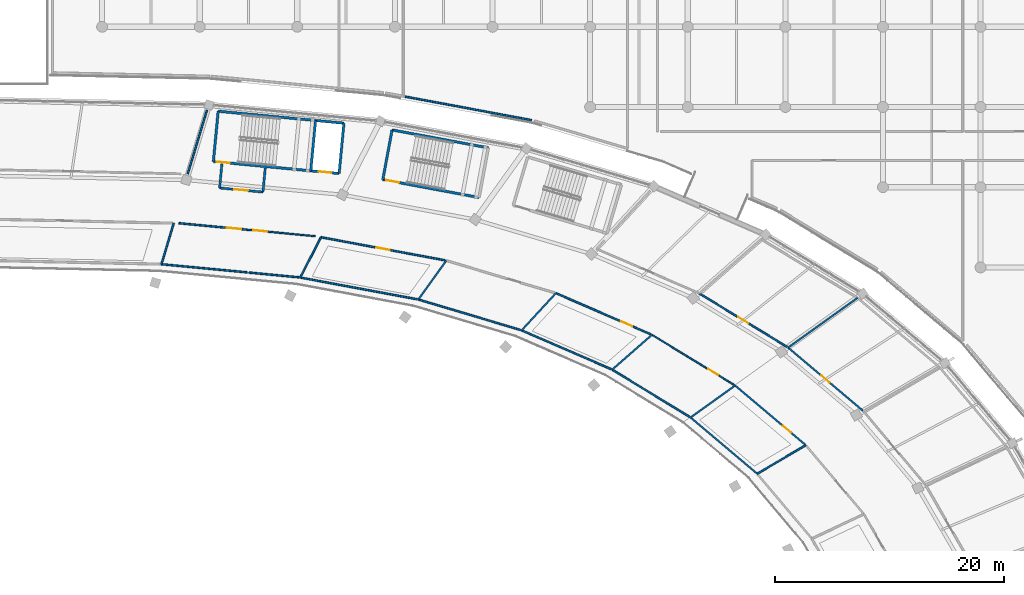
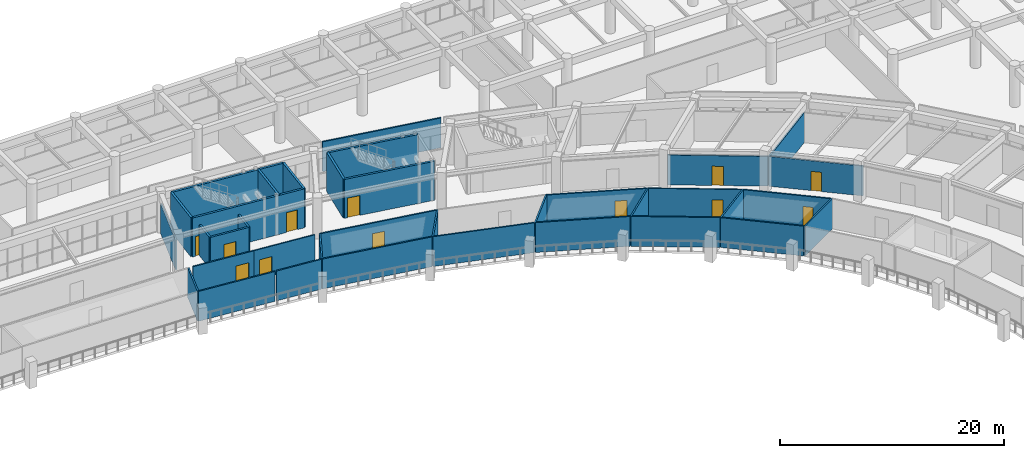
# One storey, part 107 of 141: 36 walls, 12 doors, 12 openings.
"""IFC4 building model written with IfcOpenShell, lengths in metres."""

from ifc_helpers import new_model, si_unit, direction, frame, frame_2d, origin, place, context, subcontext, project, spatial, rectangle, extrude, material, layer, layer_set, type_object, element, fill, save


model = new_model("IFC4")

# Units and contexts
model_context = context("Model", 3, precision=1e-05, world=origin(), true_north=direction((0.0, 1.0)))
body_context = subcontext(model_context, "Body", "Model", "MODEL_VIEW")
ifc_project = project(units=[si_unit("LENGTHUNIT", "METRE"), si_unit("AREAUNIT", "SQUARE_METRE"), si_unit("VOLUMEUNIT", "CUBIC_METRE"), si_unit("PLANEANGLEUNIT", "RADIAN"), si_unit("MASSUNIT", "GRAM", prefix="KILO")], contexts=[model_context])

# Site, building, storey
site_placement = place(None, origin())
site = spatial("IfcSite", under=ifc_project, at=site_placement, CompositionType="ELEMENT")
building_placement = place(site_placement, origin())
building = spatial("IfcBuilding", under=site, at=building_placement, Name="Mphavela Belvedere Stadium", CompositionType="ELEMENT")
storey_placement = place(building_placement, frame((0.0, 0.0, 14.699951171875)))
storey = spatial("IfcBuildingStorey", under=building, at=storey_placement, Name="L03", CompositionType="ELEMENT", Elevation=14.699951171875)

# Walls
ifc_material_1 = material(Name="Concrete C40/50", Category="concrete")
ifc_layer_1 = layer(ifc_material_1, 0.219970703125)
ifc_layer_set_1 = layer_set([ifc_layer_1], Name="Concrete C40/50")
wall_type_1 = type_object("IfcWallType", Name="WAL-CORE-SHEAR-220", PredefinedType="SHEAR", material=ifc_layer_set_1)
wall_1_placement = place(storey_placement, frame((137.908935546875, 159.633544921875, 0.0), z_axis=(0.0, 0.0, 1.0), x_axis=(0.99547962713, -0.094975322952, 0.0)))
element("IfcWall", 1, at=wall_1_placement, inside=storey, type_object=wall_type_1, Name="Core C03 shear wall L03 rear", PredefinedType="SHEAR", context=body_context, shape_type="SweptSolid", body=[
    extrude(rectangle(XDim=11.02001953125, YDim=0.219970703125, at=frame_2d((5.510009765625, 0.0))), origin(), (0.0, 0.0, 1.0), 4.25),
])
wall_2_placement = place(storey_placement, frame((137.489990234375, 155.243408203125, 0.0), z_axis=(0.0, 0.0, 1.0), x_axis=(0.094997189401, 0.995477540684, 0.0)))
element("IfcWall", 2, at=wall_2_placement, inside=storey, type_object=wall_type_1, Name="Core C03 shear wall L03 left", PredefinedType="SHEAR", context=body_context, shape_type="SweptSolid", body=[
    extrude(rectangle(XDim=4.41015625, YDim=0.219970703125, at=frame_2d((2.205078125, 0.0))), origin(), (0.0, 0.0, 1.0), 4.25),
])
wall_3_placement = place(storey_placement, frame((148.460205078125, 154.197021484375, 0.0), z_axis=(0.0, 0.0, 1.0), x_axis=(0.095002424918, 0.995477041051, 0.0)))
element("IfcWall", 3, at=wall_3_placement, inside=storey, type_object=wall_type_1, Name="Core C03 shear wall L03 right", PredefinedType="SHEAR", context=body_context, shape_type="SweptSolid", body=[
    extrude(rectangle(XDim=4.409912109375, YDim=0.219970703125, at=frame_2d((2.205078125, 0.0))), origin(), (0.0, 0.0, 1.0), 4.25),
])

# Wall, openings, doors
wall_4_placement = place(storey_placement, frame((137.489990234375, 155.243408203125, 0.0), z_axis=(0.0, 0.0, 1.0), x_axis=(0.995481721489, -0.094953368458, 0.0)))
wall_4 = element("IfcWall", 4, at=wall_4_placement, inside=storey, type_object=wall_type_1, Name="Core C03 shear wall L03 front", PredefinedType="SHEAR", context=body_context, shape_type="SweptSolid", body=[
    extrude(rectangle(XDim=11.02001953125, YDim=0.219970703125, at=frame_2d((5.510009765625, 0.0))), origin(), (0.0, 0.0, 1.0), 4.25),
])
opening_1_placement = place(wall_4_placement, frame((0.300048828125, 0.0, 0.0)))
opening_1 = element("IfcOpeningElement", 5, at=opening_1_placement, cuts=wall_4, Name="Opening SD-014", PredefinedType="OPENING", context=body_context, shape_type="SweptSolid", body=[
    extrude(rectangle(XDim=1.14990234375, YDim=2.14990234375, at=frame_2d((0.574951171875, 1.074951171875))), frame((0.0, 0.1201171875, 0.0), z_axis=(0.0, -1.0, 0.0), x_axis=(1.0, 0.0, 0.0)), (0.0, 0.0, 1.0), 0.239990234375),
])
opening_2_placement = place(wall_4_placement, frame((9.22998046875, 0.0, 0.0)))
opening_2 = element("IfcOpeningElement", 6, at=opening_2_placement, cuts=wall_4, Name="Opening LD-014", PredefinedType="OPENING", context=body_context, shape_type="SweptSolid", body=[
    extrude(rectangle(XDim=1.10009765625, YDim=2.14990234375, at=frame_2d((0.550048828125, 1.074951171875))), frame((0.0, 0.1201171875, 0.0), z_axis=(0.0, -1.0, 0.0), x_axis=(1.0, 0.0, 0.0)), (0.0, 0.0, 1.0), 0.239990234375),
])
ifc_material_2 = material(Name="Stainless steel center-parting lift landing door", Category="steel")
door_type_1 = type_object("IfcDoorType", Name="DR-LIFT-SLIDE-1100", OperationType="NOTDEFINED", PredefinedType="DOOR", material=ifc_material_2)
door_1_placement = place(opening_2_placement, origin())
door_1 = element("IfcDoor", 7, at=door_1_placement, inside=storey, type_object=door_type_1, Name="Lift landing sliding door FL02 L03", OperationType="DOUBLE_DOOR_SLIDING", OverallHeight=2.14990234375, OverallWidth=1.10009765625, PredefinedType="DOOR", context=body_context, shape_type="SweptSolid", body=[
    extrude(rectangle(XDim=1.10009765625, YDim=2.14990234375, at=frame_2d((0.550048828125, 1.074951171875))), frame((0.0, 0.02490234375, 0.0), z_axis=(0.0, -1.0, 0.0), x_axis=(1.0, 0.0, 0.0)), (0.0, 0.0, 1.0), 0.050048828125),
])
fill(opening_2, door_1)
ifc_material_3 = material(Name="Steel acoustic fire-resisting stair doorset", Category="steel")
door_type_2 = type_object("IfcDoorType", Name="DR-STAIR-FIRE-1150", OperationType="NOTDEFINED", PredefinedType="DOOR", material=ifc_material_3)
door_2_placement = place(opening_1_placement, origin())
door_2 = element("IfcDoor", 8, at=door_2_placement, inside=storey, type_object=door_type_2, Name="Escape stair fire door C03 L03", OperationType="SINGLE_SWING_RIGHT", OverallHeight=2.14990234375, OverallWidth=1.14990234375, PredefinedType="DOOR", context=body_context, shape_type="SweptSolid", body=[
    extrude(rectangle(XDim=1.14990234375, YDim=2.14990234375, at=frame_2d((0.574951171875, 1.074951171875))), frame((0.0, 0.02490234375, 0.0), z_axis=(0.0, -1.0, 0.0), x_axis=(1.0, 0.0, 0.0)), (0.0, 0.0, 1.0), 0.050048828125),
])
fill(opening_1, door_2)

# Walls
wall_5_placement = place(storey_placement, frame((145.991455078125, 154.432373046875, 0.0), z_axis=(0.0, 0.0, 1.0), x_axis=(0.094997189401, 0.995477540684, 0.0)))
element("IfcWall", 9, at=wall_5_placement, inside=storey, type_object=wall_type_1, Name="Core C03 shear wall L03 div", PredefinedType="SHEAR", context=body_context, shape_type="SweptSolid", body=[
    extrude(rectangle(XDim=4.41015625, YDim=0.219970703125, at=frame_2d((2.205078125, 0.0))), origin(), (0.0, 0.0, 1.0), 4.25),
])
wall_6_placement = place(storey_placement, frame((153.0859375, 158.00146484375, 0.0), z_axis=(0.0, 0.0, 1.0), x_axis=(0.983097993869, -0.18308013123, 0.0)))
element("IfcWall", 10, at=wall_6_placement, inside=storey, type_object=wall_type_1, Name="Core P02 shear wall L03 rear", PredefinedType="SHEAR", context=body_context, shape_type="SweptSolid", body=[
    extrude(rectangle(XDim=8.539794921875, YDim=0.219970703125, at=frame_2d((4.27001953125, 0.0))), origin(), (0.0, 0.0, 1.0), 4.25),
])
wall_7_placement = place(storey_placement, frame((152.278564453125, 153.666015625, 0.0), z_axis=(0.0, 0.0, 1.0), x_axis=(0.183078394814, 0.983098317236, 0.0)))
element("IfcWall", 11, at=wall_7_placement, inside=storey, type_object=wall_type_1, Name="Core P02 shear wall L03 left", PredefinedType="SHEAR", context=body_context, shape_type="SweptSolid", body=[
    extrude(rectangle(XDim=4.409912109375, YDim=0.219970703125, at=frame_2d((2.205078125, 0.0))), origin(), (0.0, 0.0, 1.0), 4.25),
])

# Wall, opening, door
wall_8_placement = place(storey_placement, frame((152.278564453125, 153.666015625, 0.0), z_axis=(0.0, 0.0, 1.0), x_axis=(0.983097993869, -0.18308013123, 0.0)))
wall_8 = element("IfcWall", 12, at=wall_8_placement, inside=storey, type_object=wall_type_1, Name="Core P02 shear wall L03 front", PredefinedType="SHEAR", context=body_context, shape_type="SweptSolid", body=[
    extrude(rectangle(XDim=8.539794921875, YDim=0.219970703125, at=frame_2d((4.27001953125, 0.0))), origin(), (0.0, 0.0, 1.0), 4.25),
])
opening_3_placement = place(wall_8_placement, frame((0.300048828125, 0.0, 0.0)))
opening_3 = element("IfcOpeningElement", 13, at=opening_3_placement, cuts=wall_8, Name="Opening SD-075", PredefinedType="OPENING", context=body_context, shape_type="SweptSolid", body=[
    extrude(rectangle(XDim=1.14990234375, YDim=2.14990234375, at=frame_2d((0.574951171875, 1.074951171875))), frame((0.0, 0.1201171875, 0.0), z_axis=(0.0, -1.0, 0.0), x_axis=(1.0, 0.0, 0.0)), (0.0, 0.0, 1.0), 0.239990234375),
])
door_3_placement = place(opening_3_placement, origin())
door_3 = element("IfcDoor", 14, at=door_3_placement, inside=storey, type_object=door_type_2, Name="Escape stair fire door P02 L03", OperationType="SINGLE_SWING_LEFT", OverallHeight=2.14990234375, OverallWidth=1.14990234375, PredefinedType="DOOR", context=body_context, shape_type="SweptSolid", body=[
    extrude(rectangle(XDim=1.14990234375, YDim=2.14990234375, at=frame_2d((0.574951171875, 1.074951171875))), frame((0.0, 0.02490234375, 0.0), z_axis=(0.0, -1.0, 0.0), x_axis=(1.0, 0.0, 0.0)), (0.0, 0.0, 1.0), 0.050048828125),
])
fill(opening_3, door_3)

ifc_material_4 = material(Name="Moisture-resistant sanitary partition assembly")
ifc_layer_2 = layer(ifc_material_4, 0.125)
ifc_layer_set_2 = layer_set([ifc_layer_2], Name="Moisture-resistant sanitary partition assembly")
wall_type_2 = type_object("IfcWallType", Name="WAL-PART-125", PredefinedType="PARTITIONING", material=ifc_layer_set_2)
wall_9_placement = place(storey_placement, frame((175.762939453125, 140.115966796875, 0.0), z_axis=(0.0, 0.0, 1.0), x_axis=(0.854330104408, -0.519730769439, 0.0)))
wall_9 = element("IfcWall", 15, at=wall_9_placement, inside=storey, type_object=wall_type_2, Name="Room L03-52 corridor partition", PredefinedType="PARTITIONING", context=body_context, shape_type="SweptSolid", body=[
    extrude(rectangle(XDim=8.420166015625, YDim=0.125, at=frame_2d((4.2099609375, 0.0))), origin(), (0.0, 0.0, 1.0), 3.25),
])
opening_4_placement = place(wall_9_placement, frame((5.760009765625, 0.0, 0.0)))
opening_4 = element("IfcOpeningElement", 16, at=opening_4_placement, cuts=wall_9, Name="Opening ID-255", PredefinedType="OPENING", context=body_context, shape_type="SweptSolid", body=[
    extrude(rectangle(XDim=0.97998046875, YDim=2.10009765625, at=frame_2d((0.489990234375, 1.050048828125))), frame((0.0, 0.072509765625, 0.0), z_axis=(0.0, -1.0, 0.0), x_axis=(1.0, 0.0, 0.0)), (0.0, 0.0, 1.0), 0.14501953125),
])
ifc_material_5 = material(Name="Hardwood acoustic timber doorset", Category="wood")
door_type_3 = type_object("IfcDoorType", Name="DR-INT-03", OperationType="NOTDEFINED", PredefinedType="DOOR", material=ifc_material_5)
door_4_placement = place(opening_4_placement, origin())
door_4 = element("IfcDoor", 17, at=door_4_placement, inside=storey, type_object=door_type_3, Name="Room L03-52 entrance door ID-255", OperationType="SINGLE_SWING_LEFT", OverallHeight=2.10009765625, OverallWidth=0.97998046875, PredefinedType="DOOR", context=body_context, shape_type="SweptSolid", body=[
    extrude(rectangle(XDim=0.97998046875, YDim=2.10009765625, at=frame_2d((0.489990234375, 1.050048828125))), frame((0.0, 0.02490234375, 0.0), z_axis=(0.0, -1.0, 0.0), x_axis=(1.0, 0.0, 0.0)), (0.0, 0.0, 1.0), 0.050048828125),
])
fill(opening_4, door_4)

wall_10_placement = place(storey_placement, frame((146.3837890625, 148.72509765625, 0.0), z_axis=(0.0, 0.0, 1.0), x_axis=(-0.995487942551, 0.094888124843, 0.0)))
wall_10 = element("IfcWall", 18, at=wall_10_placement, inside=storey, type_object=wall_type_2, Name="Room L03-62 corridor partition", PredefinedType="PARTITIONING", context=body_context, shape_type="SweptSolid", body=[
    extrude(rectangle(XDim=5.976806640625, YDim=0.125, at=frame_2d((2.98828125, 0.0))), origin(), (0.0, 0.0, 1.0), 3.25),
])
opening_5_placement = place(wall_10_placement, frame((4.231201171875, 0.0, 0.0)))
opening_5 = element("IfcOpeningElement", 19, at=opening_5_placement, cuts=wall_10, Name="Opening ID-261", PredefinedType="OPENING", context=body_context, shape_type="SweptSolid", body=[
    extrude(rectangle(XDim=1.219970703125, YDim=2.10009765625, at=frame_2d((0.60986328125, 1.050048828125))), frame((0.0, 0.072509765625, 0.0), z_axis=(0.0, -1.0, 0.0), x_axis=(1.0, 0.0, 0.0)), (0.0, 0.0, 1.0), 0.14501953125),
])
ifc_material_6 = material(Name="Hardwood acoustic timber doorset", Category="wood")
door_type_4 = type_object("IfcDoorType", Name="DR-INT-09", OperationType="NOTDEFINED", PredefinedType="DOOR", material=ifc_material_6)
door_5_placement = place(opening_5_placement, origin())
door_5 = element("IfcDoor", 20, at=door_5_placement, inside=storey, type_object=door_type_4, Name="Room L03-62 entrance door ID-261", OperationType="SINGLE_SWING_LEFT", OverallHeight=2.10009765625, OverallWidth=1.219970703125, PredefinedType="DOOR", context=body_context, shape_type="SweptSolid", body=[
    extrude(rectangle(XDim=1.219970703125, YDim=2.10009765625, at=frame_2d((0.60986328125, 1.050048828125))), frame((0.0, 0.02490234375, 0.0), z_axis=(0.0, -1.0, 0.0), x_axis=(1.0, 0.0, 0.0)), (0.0, 0.0, 1.0), 0.050048828125),
])
fill(opening_5, door_5)

ifc_material_7 = material(Name="Acoustic gypsum stud partition assembly")
ifc_layer_3 = layer(ifc_material_7, 0.14990234375)
ifc_layer_set_3 = layer_set([ifc_layer_3], Name="Acoustic gypsum stud partition assembly")
wall_type_3 = type_object("IfcWallType", Name="WAL-PART-150", PredefinedType="PARTITIONING", material=ifc_layer_set_3)
wall_11_placement = place(storey_placement, frame((183.027099609375, 135.69189453125, 0.0), z_axis=(0.0, 0.0, 1.0), x_axis=(0.764249122867, -0.644921141068, 0.0)))
wall_11 = element("IfcWall", 21, at=wall_11_placement, inside=storey, type_object=wall_type_3, Name="Room L03-49 corridor partition", PredefinedType="PARTITIONING", context=body_context, shape_type="SweptSolid", body=[
    extrude(rectangle(XDim=7.989501953125, YDim=0.14990234375, at=frame_2d((3.99462890625, 0.0))), origin(), (0.0, 0.0, 1.0), 3.25),
])
opening_6_placement = place(wall_11_placement, frame((5.4794921875, 0.0, 0.0)))
opening_6 = element("IfcOpeningElement", 22, at=opening_6_placement, cuts=wall_11, Name="Opening ID-253", PredefinedType="OPENING", context=body_context, shape_type="SweptSolid", body=[
    extrude(rectangle(XDim=0.89990234375, YDim=2.10009765625, at=frame_2d((0.449951171875, 1.050048828125))), frame((0.0, 0.0849609375, 0.0), z_axis=(0.0, -1.0, 0.0), x_axis=(1.0, 0.0, 0.0)), (0.0, 0.0, 1.0), 0.169921875),
])
ifc_material_8 = material(Name="Hardwood acoustic timber doorset", Category="wood")
door_type_5 = type_object("IfcDoorType", Name="DR-INT-01", OperationType="NOTDEFINED", PredefinedType="DOOR", material=ifc_material_8)
door_6_placement = place(opening_6_placement, origin())
door_6 = element("IfcDoor", 23, at=door_6_placement, inside=storey, type_object=door_type_5, Name="Room L03-49 entrance door ID-253", OperationType="SINGLE_SWING_LEFT", OverallHeight=2.10009765625, OverallWidth=0.89990234375, PredefinedType="DOOR", context=body_context, shape_type="SweptSolid", body=[
    extrude(rectangle(XDim=0.89990234375, YDim=2.10009765625, at=frame_2d((0.449951171875, 1.050048828125))), frame((0.0, 0.02490234375, 0.0), z_axis=(0.0, -1.0, 0.0), x_axis=(1.0, 0.0, 0.0)), (0.0, 0.0, 1.0), 0.050048828125),
])
fill(opening_6, door_6)

wall_12_placement = place(storey_placement, frame((194.1748046875, 133.4970703125, 0.0), z_axis=(0.0, 0.0, 1.0), x_axis=(-0.764257572309, 0.644911128117, 0.0)))
wall_12 = element("IfcWall", 24, at=wall_12_placement, inside=storey, type_object=wall_type_3, Name="Room L03-50 corridor partition", PredefinedType="PARTITIONING", context=body_context, shape_type="SweptSolid", body=[
    extrude(rectangle(XDim=8.53857421875, YDim=0.14990234375, at=frame_2d((4.269287109375, 0.0))), origin(), (0.0, 0.0, 1.0), 3.25),
])
opening_7_placement = place(wall_12_placement, frame((3.79931640625, 0.0, 0.0)))
opening_7 = element("IfcOpeningElement", 25, at=opening_7_placement, cuts=wall_12, Name="Opening ID-254", PredefinedType="OPENING", context=body_context, shape_type="SweptSolid", body=[
    extrude(rectangle(XDim=0.93994140625, YDim=2.10009765625, at=frame_2d((0.469970703125, 1.050048828125))), frame((0.0, 0.0849609375, 0.0), z_axis=(0.0, -1.0, 0.0), x_axis=(1.0, 0.0, 0.0)), (0.0, 0.0, 1.0), 0.169921875),
])
ifc_material_9 = material(Name="Hardwood acoustic timber doorset", Category="wood")
door_type_6 = type_object("IfcDoorType", Name="DR-INT-02", OperationType="NOTDEFINED", PredefinedType="DOOR", material=ifc_material_9)
door_7_placement = place(opening_7_placement, origin())
door_7 = element("IfcDoor", 26, at=door_7_placement, inside=storey, type_object=door_type_6, Name="Room L03-50 entrance door ID-254", OperationType="SINGLE_SWING_RIGHT", OverallHeight=2.10009765625, OverallWidth=0.93994140625, PredefinedType="DOOR", context=body_context, shape_type="SweptSolid", body=[
    extrude(rectangle(XDim=0.93994140625, YDim=2.10009765625, at=frame_2d((0.469970703125, 1.050048828125))), frame((0.0, 0.02490234375, 0.0), z_axis=(0.0, -1.0, 0.0), x_axis=(1.0, 0.0, 0.0)), (0.0, 0.0, 1.0), 0.050048828125),
])
fill(opening_7, door_7)

wall_13_placement = place(storey_placement, frame((187.582275390625, 139.05419921875, 0.0), z_axis=(0.0, 0.0, 1.0), x_axis=(-0.854321649351, 0.519744667554, 0.0)))
wall_13 = element("IfcWall", 27, at=wall_13_placement, inside=storey, type_object=wall_type_3, Name="Room L03-53 corridor partition", PredefinedType="PARTITIONING", context=body_context, shape_type="SweptSolid", body=[
    extrude(rectangle(XDim=8.99853515625, YDim=0.14990234375, at=frame_2d((4.499267578125, 0.0))), origin(), (0.0, 0.0, 1.0), 3.25),
])
opening_8_placement = place(wall_13_placement, frame((3.9892578125, 0.0, 0.0)))
opening_8 = element("IfcOpeningElement", 28, at=opening_8_placement, cuts=wall_13, Name="Opening ID-256", PredefinedType="OPENING", context=body_context, shape_type="SweptSolid", body=[
    extrude(rectangle(XDim=1.02001953125, YDim=2.10009765625, at=frame_2d((0.510009765625, 1.050048828125))), frame((0.0, 0.0849609375, 0.0), z_axis=(0.0, -1.0, 0.0), x_axis=(1.0, 0.0, 0.0)), (0.0, 0.0, 1.0), 0.169921875),
])
ifc_material_10 = material(Name="Hardwood acoustic timber doorset", Category="wood")
door_type_7 = type_object("IfcDoorType", Name="DR-INT-04", OperationType="NOTDEFINED", PredefinedType="DOOR", material=ifc_material_10)
door_8_placement = place(opening_8_placement, origin())
door_8 = element("IfcDoor", 29, at=door_8_placement, inside=storey, type_object=door_type_7, Name="Room L03-53 entrance door ID-256", OperationType="SINGLE_SWING_RIGHT", OverallHeight=2.10009765625, OverallWidth=1.02001953125, PredefinedType="DOOR", context=body_context, shape_type="SweptSolid", body=[
    extrude(rectangle(XDim=1.02001953125, YDim=2.10009765625, at=frame_2d((0.510009765625, 1.050048828125))), frame((0.0, 0.02490234375, 0.0), z_axis=(0.0, -1.0, 0.0), x_axis=(1.0, 0.0, 0.0)), (0.0, 0.0, 1.0), 0.050048828125),
])
fill(opening_8, door_8)

wall_14_placement = place(storey_placement, frame((167.382080078125, 143.753173828125, 0.0), z_axis=(0.0, 0.0, 1.0), x_axis=(0.917494590455, -0.397748257677, 0.0)))
wall_14 = element("IfcWall", 30, at=wall_14_placement, inside=storey, type_object=wall_type_3, Name="Room L03-55 corridor partition", PredefinedType="PARTITIONING", context=body_context, shape_type="SweptSolid", body=[
    extrude(rectangle(XDim=9.04931640625, YDim=0.14990234375, at=frame_2d((4.524658203125, 0.0))), origin(), (0.0, 0.0, 1.0), 3.25),
])
opening_9_placement = place(wall_14_placement, frame((6.199462890625, 0.0, 0.0)))
opening_9 = element("IfcOpeningElement", 31, at=opening_9_placement, cuts=wall_14, Name="Opening ID-257", PredefinedType="OPENING", context=body_context, shape_type="SweptSolid", body=[
    extrude(rectangle(XDim=1.06005859375, YDim=2.10009765625, at=frame_2d((0.530029296875, 1.050048828125))), frame((0.0, 0.0849609375, 0.0), z_axis=(0.0, -1.0, 0.0), x_axis=(1.0, 0.0, 0.0)), (0.0, 0.0, 1.0), 0.169921875),
])
ifc_material_11 = material(Name="Hardwood acoustic timber doorset", Category="wood")
door_type_8 = type_object("IfcDoorType", Name="DR-INT-05", OperationType="NOTDEFINED", PredefinedType="DOOR", material=ifc_material_11)
door_9_placement = place(opening_9_placement, origin())
door_9 = element("IfcDoor", 32, at=door_9_placement, inside=storey, type_object=door_type_8, Name="Room L03-55 entrance door ID-257", OperationType="SINGLE_SWING_LEFT", OverallHeight=2.10009765625, OverallWidth=1.06005859375, PredefinedType="DOOR", context=body_context, shape_type="SweptSolid", body=[
    extrude(rectangle(XDim=1.06005859375, YDim=2.10009765625, at=frame_2d((0.530029296875, 1.050048828125))), frame((0.0, 0.02490234375, 0.0), z_axis=(0.0, -1.0, 0.0), x_axis=(1.0, 0.0, 0.0)), (0.0, 0.0, 1.0), 0.050048828125),
])
fill(opening_9, door_9)

wall_15_placement = place(storey_placement, frame((146.883544921875, 148.634521484375, 0.0), z_axis=(0.0, 0.0, 1.0), x_axis=(0.983097372707, -0.183083466695, 0.0)))
wall_15 = element("IfcWall", 33, at=wall_15_placement, inside=storey, type_object=wall_type_3, Name="Room L03-60 corridor partition", PredefinedType="PARTITIONING", context=body_context, shape_type="SweptSolid", body=[
    extrude(rectangle(XDim=11.03466796875, YDim=0.14990234375, at=frame_2d((5.517333984375, 0.0))), origin(), (0.0, 0.0, 1.0), 3.25),
])
opening_10_placement = place(wall_15_placement, frame((4.92724609375, 0.0, 0.0)))
opening_10 = element("IfcOpeningElement", 34, at=opening_10_placement, cuts=wall_15, Name="Opening ID-260", PredefinedType="OPENING", context=body_context, shape_type="SweptSolid", body=[
    extrude(rectangle(XDim=1.179931640625, YDim=2.10009765625, at=frame_2d((0.58984375, 1.050048828125))), frame((0.0, 0.0849609375, 0.0), z_axis=(0.0, -1.0, 0.0), x_axis=(1.0, 0.0, 0.0)), (0.0, 0.0, 1.0), 0.169921875),
])
ifc_material_12 = material(Name="Hardwood acoustic timber doorset", Category="wood")
door_type_9 = type_object("IfcDoorType", Name="DR-INT-08", OperationType="NOTDEFINED", PredefinedType="DOOR", material=ifc_material_12)
door_10_placement = place(opening_10_placement, origin())
door_10 = element("IfcDoor", 35, at=door_10_placement, inside=storey, type_object=door_type_9, Name="Room L03-60 entrance door ID-260", OperationType="SINGLE_SWING_RIGHT", OverallHeight=2.10009765625, OverallWidth=1.179931640625, PredefinedType="DOOR", context=body_context, shape_type="SweptSolid", body=[
    extrude(rectangle(XDim=1.179931640625, YDim=2.10009765625, at=frame_2d((0.58984375, 1.050048828125))), frame((0.0, 0.02490234375, 0.0), z_axis=(0.0, -1.0, 0.0), x_axis=(1.0, 0.0, 0.0)), (0.0, 0.0, 1.0), 0.050048828125),
])
fill(opening_10, door_10)

wall_16_placement = place(storey_placement, frame((140.433837890625, 149.292236328125, 0.0), z_axis=(0.0, 0.0, 1.0), x_axis=(-0.995484083314, 0.094928604063, 0.0)))
wall_16 = element("IfcWall", 36, at=wall_16_placement, inside=storey, type_object=wall_type_3, Name="Room L03-63 corridor partition", PredefinedType="PARTITIONING", context=body_context, shape_type="SweptSolid", body=[
    extrude(rectangle(XDim=5.97705078125, YDim=0.14990234375, at=frame_2d((2.988525390625, 0.0))), origin(), (0.0, 0.0, 1.0), 3.25),
])
opening_11_placement = place(wall_16_placement, frame((0.523681640625, 0.0, 0.0)))
opening_11 = element("IfcOpeningElement", 37, at=opening_11_placement, cuts=wall_16, Name="Opening ID-262", PredefinedType="OPENING", context=body_context, shape_type="SweptSolid", body=[
    extrude(rectangle(XDim=1.260009765625, YDim=2.10009765625, at=frame_2d((0.6298828125, 1.050048828125))), frame((0.0, 0.0849609375, 0.0), z_axis=(0.0, -1.0, 0.0), x_axis=(1.0, 0.0, 0.0)), (0.0, 0.0, 1.0), 0.169921875),
])
ifc_material_13 = material(Name="Hardwood acoustic timber doorset", Category="wood")
door_type_10 = type_object("IfcDoorType", Name="DR-INT-10", OperationType="NOTDEFINED", PredefinedType="DOOR", material=ifc_material_13)
door_11_placement = place(opening_11_placement, origin())
door_11 = element("IfcDoor", 38, at=door_11_placement, inside=storey, type_object=door_type_10, Name="Room L03-63 entrance door ID-262", OperationType="SINGLE_SWING_RIGHT", OverallHeight=2.10009765625, OverallWidth=1.260009765625, PredefinedType="DOOR", context=body_context, shape_type="SweptSolid", body=[
    extrude(rectangle(XDim=1.260009765625, YDim=2.10009765625, at=frame_2d((0.6298828125, 1.050048828125))), frame((0.0, 0.02490234375, 0.0), z_axis=(0.0, -1.0, 0.0), x_axis=(1.0, 0.0, 0.0)), (0.0, 0.0, 1.0), 0.050048828125),
])
fill(opening_11, door_11)

# Walls
wall_17_placement = place(storey_placement, frame((184.9462890625, 127.989990234375, 0.0), z_axis=(0.0, 0.0, 1.0), x_axis=(0.862504707072, 0.506049039401, 0.0)))
element("IfcWall", 39, at=wall_17_placement, inside=storey, type_object=wall_type_3, Name="Room divider partition L03-0451", PredefinedType="PARTITIONING", context=body_context, shape_type="SweptSolid", body=[
    extrude(rectangle(XDim=4.923828125, YDim=0.14990234375, at=frame_2d((2.4619140625, 0.0))), origin(), (0.0, 0.0, 1.0), 3.25),
])
wall_18_placement = place(storey_placement, frame((184.889404296875, 128.04931640625, 0.0), z_axis=(0.0, 0.0, 1.0), x_axis=(-0.764259013583, 0.644909420118, 0.0)))
element("IfcWall", 40, at=wall_18_placement, inside=storey, type_object=wall_type_3, Name="Room divider partition L03-0454", PredefinedType="PARTITIONING", context=body_context, shape_type="SweptSolid", body=[
    extrude(rectangle(XDim=7.52783203125, YDim=0.14990234375, at=frame_2d((3.763916015625, 0.0))), origin(), (0.0, 0.0, 1.0), 3.25),
])
wall_19_placement = place(storey_placement, frame((179.13623046875, 132.904052734375, 0.0), z_axis=(0.0, 0.0, 1.0), x_axis=(0.812877901281, 0.582434131563, 0.0)))
element("IfcWall", 41, at=wall_19_placement, inside=storey, type_object=wall_type_3, Name="Room divider partition L03-0455", PredefinedType="PARTITIONING", context=body_context, shape_type="SweptSolid", body=[
    extrude(rectangle(XDim=4.78662109375, YDim=0.14990234375, at=frame_2d((2.393310546875, 0.0))), origin(), (0.0, 0.0, 1.0), 3.25),
])
wall_20_placement = place(storey_placement, frame((187.649169921875, 139.003662109375, 0.0), z_axis=(0.0, 0.0, 1.0), x_axis=(0.812884613266, 0.582424763824, 0.0)))
element("IfcWall", 42, at=wall_20_placement, inside=storey, type_object=wall_type_3, Name="Room divider partition L03-0456", PredefinedType="PARTITIONING", context=body_context, shape_type="SweptSolid", body=[
    extrude(rectangle(XDim=7.450439453125, YDim=0.14990234375, at=frame_2d((3.72509765625, 0.0))), origin(), (0.0, 0.0, 1.0), 3.25),
])
wall_21_placement = place(storey_placement, frame((179.0693359375, 132.95458984375, 0.0), z_axis=(0.0, 0.0, 1.0), x_axis=(-0.854324504961, 0.519739973663, 0.0)))
element("IfcWall", 43, at=wall_21_placement, inside=storey, type_object=wall_type_3, Name="Room divider partition L03-0458", PredefinedType="PARTITIONING", context=body_context, shape_type="SweptSolid", body=[
    extrude(rectangle(XDim=7.933837890625, YDim=0.14990234375, at=frame_2d((3.966796875, 0.0))), origin(), (0.0, 0.0, 1.0), 3.25),
])
wall_22_placement = place(storey_placement, frame((172.291259765625, 137.078125, 0.0), z_axis=(0.0, 0.0, 1.0), x_axis=(0.75256358092, 0.658519594753, 0.0)))
element("IfcWall", 44, at=wall_22_placement, inside=storey, type_object=wall_type_3, Name="Room divider partition L03-0459", PredefinedType="PARTITIONING", context=body_context, shape_type="SweptSolid", body=[
    extrude(rectangle(XDim=4.613037109375, YDim=0.14990234375, at=frame_2d((2.306640625, 0.0))), origin(), (0.0, 0.0, 1.0), 3.25),
])
wall_23_placement = place(storey_placement, frame((172.216552734375, 137.119140625, 0.0), z_axis=(0.0, 0.0, 1.0), x_axis=(-0.917503740796, 0.397727149722, 0.0)))
element("IfcWall", 45, at=wall_23_placement, inside=storey, type_object=wall_type_3, Name="Room divider partition L03-0462", PredefinedType="PARTITIONING", context=body_context, shape_type="SweptSolid", body=[
    extrude(rectangle(XDim=8.52734375, YDim=0.14990234375, at=frame_2d((4.263671875, 0.0))), origin(), (0.0, 0.0, 1.0), 3.25),
])
wall_24_placement = place(storey_placement, frame((164.392578125, 140.5107421875, 0.0), z_axis=(0.0, 0.0, 1.0), x_axis=(0.677850039095, 0.735200193484, 0.0)))
element("IfcWall", 46, at=wall_24_placement, inside=storey, type_object=wall_type_3, Name="Room divider partition L03-0463", PredefinedType="PARTITIONING", context=body_context, shape_type="SweptSolid", body=[
    extrude(rectangle(XDim=4.41015625, YDim=0.14990234375, at=frame_2d((2.205078125, 0.0))), origin(), (0.0, 0.0, 1.0), 3.25),
])
wall_25_placement = place(storey_placement, frame((164.3125, 140.5419921875, 0.0), z_axis=(0.0, 0.0, 1.0), x_axis=(-0.958657695612, 0.284561808126, 0.0)))
element("IfcWall", 47, at=wall_25_placement, inside=storey, type_object=wall_type_3, Name="Room divider partition L03-0466", PredefinedType="PARTITIONING", context=body_context, shape_type="SweptSolid", body=[
    extrude(rectangle(XDim=9.32177734375, YDim=0.14990234375, at=frame_2d((4.660888671875, 0.0))), origin(), (0.0, 0.0, 1.0), 3.25),
])
wall_26_placement = place(storey_placement, frame((155.376220703125, 143.194580078125, 0.0), z_axis=(0.0, 0.0, 1.0), x_axis=(0.582985720231, 0.812482399814, 0.0)))
element("IfcWall", 48, at=wall_26_placement, inside=storey, type_object=wall_type_3, Name="Room divider partition L03-0467", PredefinedType="PARTITIONING", context=body_context, shape_type="SweptSolid", body=[
    extrude(rectangle(XDim=4.18603515625, YDim=0.14990234375, at=frame_2d((2.093017578125, 0.0))), origin(), (0.0, 0.0, 1.0), 3.25),
])
wall_27_placement = place(storey_placement, frame((155.293212890625, 143.21630859375, 0.0), z_axis=(0.0, 0.0, 1.0), x_axis=(-0.983096264982, 0.183089414709, 0.0)))
element("IfcWall", 49, at=wall_27_placement, inside=storey, type_object=wall_type_3, Name="Room divider partition L03-0468", PredefinedType="PARTITIONING", context=body_context, shape_type="SweptSolid", body=[
    extrude(rectangle(XDim=10.40087890625, YDim=0.14990234375, at=frame_2d((5.200439453125, 0.0))), origin(), (0.0, 0.0, 1.0), 3.25),
])
wall_28_placement = place(storey_placement, frame((145.068115234375, 145.12060546875, 0.0), z_axis=(0.0, 0.0, 1.0), x_axis=(0.459001375355, 0.888435556145, 0.0)))
element("IfcWall", 50, at=wall_28_placement, inside=storey, type_object=wall_type_3, Name="Room divider partition L03-0469", PredefinedType="PARTITIONING", context=body_context, shape_type="SweptSolid", body=[
    extrude(rectangle(XDim=3.955078125, YDim=0.14990234375, at=frame_2d((1.9775390625, 0.0))), origin(), (0.0, 0.0, 1.0), 3.25),
])
wall_29_placement = place(storey_placement, frame((132.95263671875, 146.28076171875, 0.0), z_axis=(0.0, 0.0, 1.0), x_axis=(0.289262971577, 0.957249671337, 0.0)))
element("IfcWall", 51, at=wall_29_placement, inside=storey, type_object=wall_type_3, Name="Room divider partition L03-0470", PredefinedType="PARTITIONING", context=body_context, shape_type="SweptSolid", body=[
    extrude(rectangle(XDim=3.741455078125, YDim=0.14990234375, at=frame_2d((1.87060546875, 0.0))), origin(), (0.0, 0.0, 1.0), 3.25),
])
wall_30_placement = place(storey_placement, frame((140.433837890625, 145.5673828125, 0.0), z_axis=(0.0, 0.0, 1.0), x_axis=(-0.995484369257, 0.094925605423, 0.0)))
element("IfcWall", 52, at=wall_30_placement, inside=storey, type_object=wall_type_3, Name="Room divider partition L03-0471", PredefinedType="PARTITIONING", context=body_context, shape_type="SweptSolid", body=[
    extrude(rectangle(XDim=7.51513671875, YDim=0.14990234375, at=frame_2d((3.757568359375, 0.0))), origin(), (0.0, 0.0, 1.0), 3.25),
])
wall_31_placement = place(storey_placement, frame((144.98486328125, 145.13330078125, 0.0), z_axis=(0.0, 0.0, 1.0), x_axis=(-0.995484271109, 0.094926634693, 0.0)))
element("IfcWall", 53, at=wall_31_placement, inside=storey, type_object=wall_type_3, Name="Room divider partition L03-0472", PredefinedType="PARTITIONING", context=body_context, shape_type="SweptSolid", body=[
    extrude(rectangle(XDim=4.410888671875, YDim=0.14990234375, at=frame_2d((2.20556640625, 0.0))), origin(), (0.0, 0.0, 1.0), 3.25),
])
wall_32_placement = place(storey_placement, frame((136.931640625, 159.726806640625, 0.0), z_axis=(0.0, 0.0, 1.0), x_axis=(-0.289195444178, -0.957270074256, 0.0)))
element("IfcWall", 54, at=wall_32_placement, inside=storey, type_object=wall_type_3, Name="Room divider partition L03-0476", PredefinedType="PARTITIONING", context=body_context, shape_type="SweptSolid", body=[
    extrude(rectangle(XDim=5.8173828125, YDim=0.14990234375, at=frame_2d((2.90869140625, 0.0))), origin(), (0.0, 0.0, 1.0), 3.25),
])
wall_33_placement = place(storey_placement, frame((165.2587890625, 158.8544921875, 0.0), z_axis=(0.0, 0.0, 1.0), x_axis=(-0.983091639371, 0.183114250127, 0.0)))
element("IfcWall", 55, at=wall_33_placement, inside=storey, type_object=wall_type_3, Name="Room divider partition L03-1085", PredefinedType="PARTITIONING", context=body_context, shape_type="SweptSolid", body=[
    extrude(rectangle(XDim=11.223388671875, YDim=0.14990234375, at=frame_2d((5.61181640625, 0.0))), origin(), (0.0, 0.0, 1.0), 3.25),
])

# Wall, opening, door
ifc_material_14 = material(Name="Fire-rated calcium silicate partition assembly")
ifc_layer_4 = layer(ifc_material_14, 0.199951171875)
ifc_layer_set_4 = layer_set([ifc_layer_4], Name="Fire-rated calcium silicate partition assembly")
wall_type_4 = type_object("IfcWallType", Name="WAL-PART-FF-200", PredefinedType="PARTITIONING", material=ifc_layer_set_4)
wall_34_placement = place(storey_placement, frame((138.033447265625, 152.9365234375, 0.0), z_axis=(0.0, 0.0, 1.0), x_axis=(0.995481022971, -0.094960691361, 0.0)))
wall_34 = element("IfcWall", 56, at=wall_34_placement, inside=storey, type_object=wall_type_4, Name="Firefighting lobby front wall C03 L03", PredefinedType="PARTITIONING", context=body_context, shape_type="SweptSolid", body=[
    extrude(rectangle(XDim=3.7998046875, YDim=0.199951171875, at=frame_2d((1.89990234375, 0.0))), origin(), (0.0, 0.0, 1.0), 3.35009765625),
])
opening_12_placement = place(wall_34_placement, frame((1.300048828125, 0.0, 0.0)))
opening_12 = element("IfcOpeningElement", 57, at=opening_12_placement, cuts=wall_34, Name="Opening FD-009", PredefinedType="OPENING", context=body_context, shape_type="SweptSolid", body=[
    extrude(rectangle(XDim=1.199951171875, YDim=2.179931640625, at=frame_2d((0.60009765625, 1.08984375))), frame((0.0, 0.10986328125, 0.0), z_axis=(0.0, -1.0, 0.0), x_axis=(1.0, 0.0, 0.0)), (0.0, 0.0, 1.0), 0.219970703125),
])
ifc_material_15 = material(Name="Steel smoke-sealed firefighting lobby doorset", Category="steel")
door_type_11 = type_object("IfcDoorType", Name="DR-FF-LOBBY-1200", OperationType="NOTDEFINED", PredefinedType="DOOR", material=ifc_material_15)
door_12_placement = place(opening_12_placement, origin())
door_12 = element("IfcDoor", 58, at=door_12_placement, inside=storey, type_object=door_type_11, Name="Firefighting lobby door C03 L03", OperationType="SINGLE_SWING_LEFT", OverallHeight=2.179931640625, OverallWidth=1.199951171875, PredefinedType="DOOR", context=body_context, shape_type="SweptSolid", body=[
    extrude(rectangle(XDim=1.199951171875, YDim=2.179931640625, at=frame_2d((0.60009765625, 1.08984375))), frame((0.0, 0.02490234375, 0.0), z_axis=(0.0, -1.0, 0.0), x_axis=(1.0, 0.0, 0.0)), (0.0, 0.0, 1.0), 0.050048828125),
])
fill(opening_12, door_12)

# Walls
for number, where, z_axis, x_axis, name in (
    (59, (138.033447265625, 152.9365234375, 0.0), (0.0, 0.0, 1.0), (0.095010174536, 0.995476301443, 0.0), "Firefighting lobby side wall L C03 L03"),
    (60, (141.816162109375, 152.57568359375, 0.0), (0.0, 0.0, 1.0), (0.095010174536, 0.995476301443, 0.0), "Firefighting lobby side wall R C03 L03"),
):
    element("IfcWall", number, at=place(storey_placement, frame(where, z_axis=z_axis, x_axis=x_axis)), inside=storey, type_object=wall_type_4, Name=name, PredefinedType="PARTITIONING", context=body_context, shape_type="SweptSolid", body=[
        extrude(rectangle(XDim=2.119873046875, YDim=0.199951171875, at=frame_2d((1.06005859375, 0.0))), origin(), (0.0, 0.0, 1.0), 3.35009765625),
    ])

save(model, "model.ifc")
